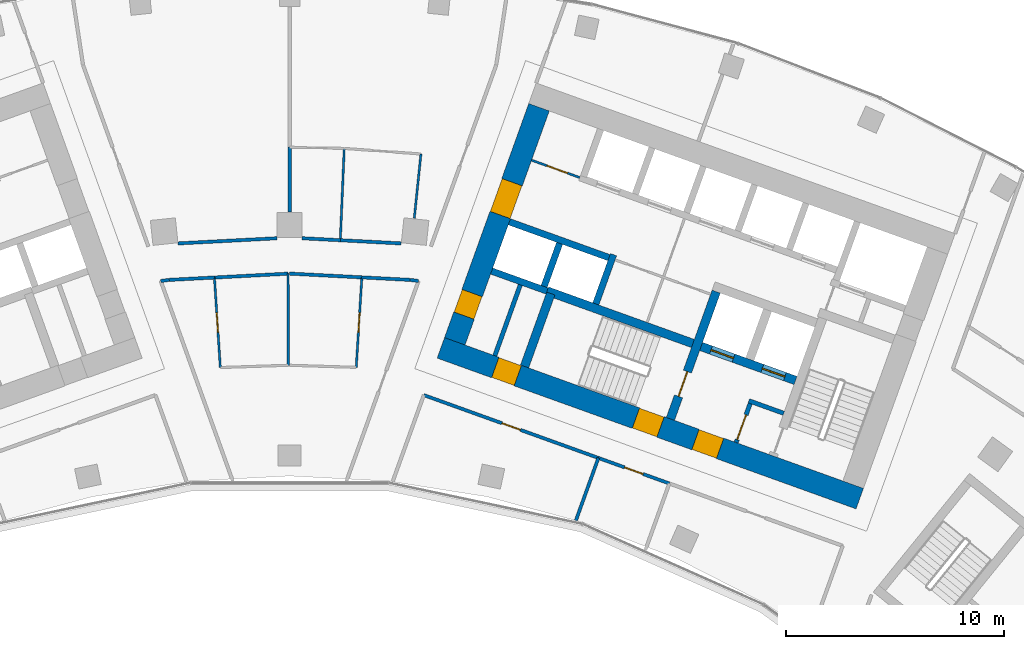
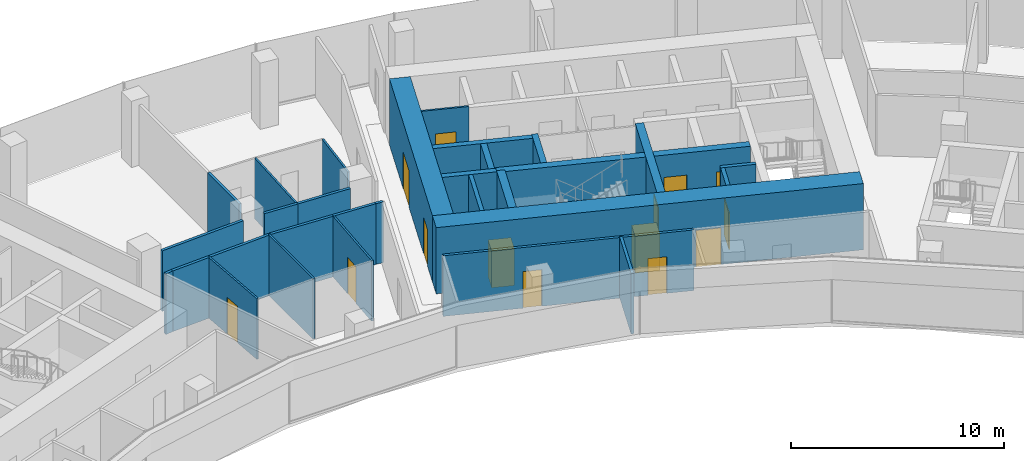
# One storey, part 12 of 16: 31 walls, 14 doors, 14 openings.
"""IFC4 building model written with IfcOpenShell, lengths in metres."""

from ifc_helpers import new_model, si_unit, direction, frame, frame_2d, origin, place, context, subcontext, project, spatial, rectangle, extrude, material, layer, layer_set, type_object, element, fill, save


model = new_model("IFC4")

# Units and contexts
model_context = context("Model", 3, precision=1e-05, world=origin(), true_north=direction((0.0, 1.0)))
body_context = subcontext(model_context, "Body", "Model", "MODEL_VIEW")
ifc_project = project(units=[si_unit("LENGTHUNIT", "METRE"), si_unit("AREAUNIT", "SQUARE_METRE"), si_unit("VOLUMEUNIT", "CUBIC_METRE"), si_unit("PLANEANGLEUNIT", "RADIAN"), si_unit("MASSUNIT", "GRAM", prefix="KILO")], contexts=[model_context])

# Site, building, storey
site_placement = place(None, origin())
site = spatial("IfcSite", under=ifc_project, at=site_placement, CompositionType="ELEMENT")
building_placement = place(site_placement, origin())
building = spatial("IfcBuilding", under=site, at=building_placement, Name="Stone Belt Terrace Tower", CompositionType="ELEMENT")
storey_placement = place(building_placement, frame((0.0, 0.0, 242.800048828125)))
storey = spatial("IfcBuildingStorey", under=building, at=storey_placement, Name="L59", CompositionType="ELEMENT", Elevation=242.800048828125)

# Wall, opening, door
ifc_material_1 = material(Name="Plasterboard partition")
ifc_layer_1 = layer(ifc_material_1, 0.10009765625)
ifc_layer_set_1 = layer_set([ifc_layer_1], Name="Core partition 100")
wall_type_1 = type_object("IfcWallType", Name="Core partition 100", PredefinedType="PARTITIONING", material=ifc_layer_set_1)
wall_1_placement = place(storey_placement, frame((13.29638671875, 57.17529296875, 0.0), z_axis=(0.0, 0.0, 1.0), x_axis=(-0.940904627055, 0.338671644496, 0.0)))
wall_1 = element("IfcWall", 1, at=wall_1_placement, inside=storey, type_object=wall_type_1, Name="Core B wall", PredefinedType="PARTITIONING", context=body_context, shape_type="SweptSolid", body=[
    extrude(rectangle(XDim=2.35009765625, YDim=0.10009765625, at=frame_2d((1.175048828125, 0.0))), origin(), (0.0, 0.0, 1.0), 3.47998046875),
])
opening_1_placement = place(wall_1_placement, frame((0.60009765625, 0.0, 0.0)))
opening_1 = element("IfcOpeningElement", 2, at=opening_1_placement, cuts=wall_1, Name="Opening L59-C15", PredefinedType="OPENING", context=body_context, shape_type="SweptSolid", body=[
    extrude(rectangle(XDim=1.0, YDim=2.10009765625, at=frame_2d((0.5, 1.050048828125))), frame((0.0, 0.06005859375, 0.0), z_axis=(0.0, -1.0, 0.0), x_axis=(1.0, 0.0, 0.0)), (0.0, 0.0, 1.0), 0.1201171875),
])
ifc_material_2 = material(Name="Timber door leaf", Category="wood")
door_type_1 = type_object("IfcDoorType", Name="Core room door 1000", OperationType="SINGLE_SWING_LEFT", PredefinedType="DOOR", material=ifc_material_2)
door_1_placement = place(opening_1_placement, origin())
door_1 = element("IfcDoor", 3, at=door_1_placement, inside=storey, type_object=door_type_1, Name="Door to Communications hub room core B", OperationType="SINGLE_SWING_RIGHT", OverallHeight=2.10009765625, OverallWidth=1.0, PredefinedType="DOOR", context=body_context, shape_type="SweptSolid", body=[
    extrude(rectangle(XDim=1.0, YDim=2.10009765625, at=frame_2d((0.5, 1.050048828125))), frame((0.0, 0.02490234375, 0.0), z_axis=(0.0, -1.0, 0.0), x_axis=(1.0, 0.0, 0.0)), (0.0, 0.0, 1.0), 0.050048828125),
])
fill(opening_1, door_1)

# Wall, openings, doors
ifc_material_3 = material(Name="Concrete B60", Category="concrete")
ifc_layer_2 = layer(ifc_material_3, 1.0)
ifc_layer_set_2 = layer_set([ifc_layer_2], Name="Core wall 1000 B60")
wall_type_2 = type_object("IfcWallType", Name="Core wall 1000 B60", PredefinedType="SHEAR", material=ifc_layer_set_2)
wall_2_placement = place(storey_placement, frame((6.927490234375, 49.370849609375, 0.0), z_axis=(0.0, 0.0, 1.0), x_axis=(0.940921428504, -0.338624962727, 0.0)))
wall_2 = element("IfcWall", 4, at=wall_2_placement, inside=storey, type_object=wall_type_2, Name="Core B wall concave L59", PredefinedType="SHEAR", context=body_context, shape_type="SweptSolid", body=[
    extrude(rectangle(XDim=20.400146484375, YDim=1.0, at=frame_2d((10.2001953125, 0.0))), origin(), (0.0, 0.0, 1.0), 3.800048828125),
])
opening_2_placement = place(wall_2_placement, frame((12.39990234375, 0.0, 0.0)))
opening_2 = element("IfcOpeningElement", 5, at=opening_2_placement, cuts=wall_2, Name="Opening L59-C24", PredefinedType="OPENING", context=body_context, shape_type="SweptSolid", body=[
    extrude(rectangle(XDim=1.199951171875, YDim=2.10009765625, at=frame_2d((0.60009765625, 1.050048828125))), frame((0.0, 0.510009765625, 0.0), z_axis=(0.0, -1.0, 0.0), x_axis=(1.0, 0.0, 0.0)), (0.0, 0.0, 1.0), 1.02001953125),
])
opening_3_placement = place(wall_2_placement, frame((9.5, 0.0, 0.0)))
opening_3 = element("IfcOpeningElement", 6, at=opening_3_placement, cuts=wall_2, Name="Opening L59-C26", PredefinedType="OPENING", context=body_context, shape_type="SweptSolid", body=[
    extrude(rectangle(XDim=1.199951171875, YDim=2.10009765625, at=frame_2d((0.60009765625, 1.050048828125))), frame((0.0, 0.510009765625, 0.0), z_axis=(0.0, -1.0, 0.0), x_axis=(1.0, 0.0, 0.0)), (0.0, 0.0, 1.0), 1.02001953125),
])
opening_4_placement = place(wall_2_placement, frame((2.64990234375, 0.0, 0.0)))
opening_4 = element("IfcOpeningElement", 7, at=opening_4_placement, cuts=wall_2, Name="Opening L59-C28", PredefinedType="OPENING", context=body_context, shape_type="SweptSolid", body=[
    extrude(rectangle(XDim=1.10009765625, YDim=2.10009765625, at=frame_2d((0.550048828125, 1.050048828125))), frame((0.0, 0.510009765625, 0.0), z_axis=(0.0, -1.0, 0.0), x_axis=(1.0, 0.0, 0.0)), (0.0, 0.0, 1.0), 1.02001953125),
])
door_type_2 = type_object("IfcDoorType", Name="Core room door 1100", OperationType="SINGLE_SWING_LEFT", PredefinedType="DOOR", material=ifc_material_2)
door_2_placement = place(opening_4_placement, origin())
door_2 = element("IfcDoor", 8, at=door_2_placement, inside=storey, type_object=door_type_2, Name="Door to Communications riser room core B", OperationType="SINGLE_SWING_RIGHT", OverallHeight=2.10009765625, OverallWidth=1.10009765625, PredefinedType="DOOR", context=body_context, shape_type="SweptSolid", body=[
    extrude(rectangle(XDim=1.10009765625, YDim=2.10009765625, at=frame_2d((0.550048828125, 1.050048828125))), frame((0.0, 0.47998046875, 0.0), z_axis=(0.0, -1.0, 0.0), x_axis=(1.0, 0.0, 0.0)), (0.0, 0.0, 1.0), 0.9599609375),
])
fill(opening_4, door_2)
ifc_material_4 = material(Name="Steel door leaf", Category="steel")
door_type_3 = type_object("IfcDoorType", Name="Fire-fighting lobby door 1200", OperationType="SINGLE_SWING_LEFT", PredefinedType="DOOR", material=ifc_material_4)
door_3_placement = place(opening_2_placement, origin())
door_3 = element("IfcDoor", 9, at=door_3_placement, inside=storey, type_object=door_type_3, Name="Fire-fighting lobby door core B", OperationType="SINGLE_SWING_RIGHT", OverallHeight=2.10009765625, OverallWidth=1.199951171875, PredefinedType="DOOR", context=body_context, shape_type="SweptSolid", body=[
    extrude(rectangle(XDim=1.199951171875, YDim=2.10009765625, at=frame_2d((0.60009765625, 1.050048828125))), frame((0.0, 0.47998046875, 0.0), z_axis=(0.0, -1.0, 0.0), x_axis=(1.0, 0.0, 0.0)), (0.0, 0.0, 1.0), 0.9599609375),
])
fill(opening_2, door_3)
door_type_4 = type_object("IfcDoorType", Name="Stair door 1200", OperationType="SINGLE_SWING_LEFT", PredefinedType="DOOR", material=ifc_material_4)
door_4_placement = place(opening_3_placement, origin())
door_4 = element("IfcDoor", 10, at=door_4_placement, inside=storey, type_object=door_type_4, Name="Stair 2 exit door core B", OperationType="SINGLE_SWING_LEFT", OverallHeight=2.10009765625, OverallWidth=1.199951171875, PredefinedType="DOOR", context=body_context, shape_type="SweptSolid", body=[
    extrude(rectangle(XDim=1.199951171875, YDim=2.10009765625, at=frame_2d((0.60009765625, 1.050048828125))), frame((0.0, 0.47998046875, 0.0), z_axis=(0.0, -1.0, 0.0), x_axis=(1.0, 0.0, 0.0)), (0.0, 0.0, 1.0), 0.9599609375),
])
fill(opening_3, door_4)

wall_3_placement = place(storey_placement, frame((7.567138671875, 49.672119140625, 0.0), z_axis=(0.0, 0.0, 1.0), x_axis=(0.338625431531, 0.940921259788, 0.0)))
wall_3 = element("IfcWall", 11, at=wall_3_placement, inside=storey, type_object=wall_type_2, Name="Core B wall end_a L59", PredefinedType="SHEAR", context=body_context, shape_type="SweptSolid", body=[
    extrude(rectangle(XDim=11.400146484375, YDim=1.0, at=frame_2d((5.7001953125, 0.0))), origin(), (0.0, 0.0, 1.0), 3.800048828125),
])
opening_5_placement = place(wall_3_placement, frame((6.14990234375, 0.0, 0.0)))
opening_5 = element("IfcOpeningElement", 12, at=opening_5_placement, cuts=wall_3, Name="Opening L59-C21", PredefinedType="OPENING", context=body_context, shape_type="SweptSolid", body=[
    extrude(rectangle(XDim=1.60009765625, YDim=2.10009765625, at=frame_2d((0.800048828125, 1.050048828125))), frame((0.0, 0.510009765625, 0.0), z_axis=(0.0, -1.0, 0.0), x_axis=(1.0, 0.0, 0.0)), (0.0, 0.0, 1.0), 1.02001953125),
])
opening_6_placement = place(wall_3_placement, frame((1.25, 0.0, 0.0)))
opening_6 = element("IfcOpeningElement", 13, at=opening_6_placement, cuts=wall_3, Name="Opening L59-C27", PredefinedType="OPENING", context=body_context, shape_type="SweptSolid", body=[
    extrude(rectangle(XDim=1.10009765625, YDim=2.10009765625, at=frame_2d((0.550048828125, 1.050048828125))), frame((0.0, 0.510009765625, 0.0), z_axis=(0.0, -1.0, 0.0), x_axis=(1.0, 0.0, 0.0)), (0.0, 0.0, 1.0), 1.02001953125),
])
door_5_placement = place(opening_6_placement, origin())
door_5 = element("IfcDoor", 14, at=door_5_placement, inside=storey, type_object=door_type_2, Name="Door to Cleaner's store core B", OperationType="SINGLE_SWING_LEFT", OverallHeight=2.10009765625, OverallWidth=1.10009765625, PredefinedType="DOOR", context=body_context, shape_type="SweptSolid", body=[
    extrude(rectangle(XDim=1.10009765625, YDim=2.10009765625, at=frame_2d((0.550048828125, 1.050048828125))), frame((0.0, 0.47998046875, 0.0), z_axis=(0.0, -1.0, 0.0), x_axis=(1.0, 0.0, 0.0)), (0.0, 0.0, 1.0), 0.9599609375),
])
fill(opening_6, door_5)
ifc_material_5 = material(Name="Glazed aluminium door leaf", Category="aluminium")
door_type_5 = type_object("IfcDoorType", Name="Lift lobby entrance door 1600", OperationType="DOUBLE_DOOR_SINGLE_SWING", PredefinedType="DOOR", material=ifc_material_5)
door_6_placement = place(opening_5_placement, origin())
door_6 = element("IfcDoor", 15, at=door_6_placement, inside=storey, type_object=door_type_5, Name="Lift lobby entrance door core B", OperationType="DOUBLE_DOOR_SINGLE_SWING", OverallHeight=2.10009765625, OverallWidth=1.60009765625, PredefinedType="DOOR", context=body_context, shape_type="SweptSolid", body=[
    extrude(rectangle(XDim=1.60009765625, YDim=2.10009765625, at=frame_2d((0.800048828125, 1.050048828125))), frame((0.0, 0.47998046875, 0.0), z_axis=(0.0, -1.0, 0.0), x_axis=(1.0, 0.0, 0.0)), (0.0, 0.0, 1.0), 0.9599609375),
])
fill(opening_5, door_6)

# Walls
ifc_material_6 = material(Name="Concrete B80", Category="concrete")
ifc_layer_3 = layer(ifc_material_6, 0.300048828125)
ifc_layer_set_3 = layer_set([ifc_layer_3], Name="Lift shaft wall 300")
wall_type_3 = type_object("IfcWallType", Name="Lift shaft wall 300", PredefinedType="SHEAR", material=ifc_layer_set_3)
wall_4_placement = place(storey_placement, frame((14.029052734375, 51.38525390625, 0.0), z_axis=(0.0, 0.0, 1.0), x_axis=(0.338661829791, 0.940908159728, 0.0)))
element("IfcWall", 16, at=wall_4_placement, inside=storey, type_object=wall_type_3, Name="Core B wall", PredefinedType="SHEAR", context=body_context, shape_type="SweptSolid", body=[
    extrude(rectangle(XDim=2.39990234375, YDim=0.300048828125, at=frame_2d((1.199951171875, 0.0))), origin(), (0.0, 0.0, 1.0), 3.47998046875),
])
wall_5_placement = place(storey_placement, frame((14.6328125, 53.506103515625, 0.0), z_axis=(0.0, 0.0, 1.0), x_axis=(-0.940931684323, 0.338596464007, 0.0)))
element("IfcWall", 17, at=wall_5_placement, inside=storey, type_object=wall_type_3, Name="Core B wall", PredefinedType="SHEAR", context=body_context, shape_type="SweptSolid", body=[
    extrude(rectangle(XDim=4.849609375, YDim=0.300048828125, at=frame_2d((2.4248046875, 0.0))), origin(), (0.0, 0.0, 1.0), 3.47998046875),
])
wall_6_placement = place(storey_placement, frame((11.797119140625, 51.975830078125, 0.0), z_axis=(0.0, 0.0, 1.0), x_axis=(-0.940910465161, 0.33865542451, 0.0)))
element("IfcWall", 18, at=wall_6_placement, inside=storey, type_object=wall_type_3, Name="Core B wall", PredefinedType="SHEAR", context=body_context, shape_type="SweptSolid", body=[
    extrude(rectangle(XDim=2.69970703125, YDim=0.300048828125, at=frame_2d((1.349853515625, 0.0))), origin(), (0.0, 0.0, 1.0), 3.47998046875),
])
wall_7_placement = place(storey_placement, frame((11.659912109375, 52.184814453125, 0.0), z_axis=(0.0, 0.0, 1.0), x_axis=(0.338670064856, 0.940905195634, 0.0)))
element("IfcWall", 19, at=wall_7_placement, inside=storey, type_object=wall_type_3, Name="Core B wall", PredefinedType="SHEAR", context=body_context, shape_type="SweptSolid", body=[
    extrude(rectangle(XDim=2.099853515625, YDim=0.300048828125, at=frame_2d((1.0498046875, 0.0))), origin(), (0.0, 0.0, 1.0), 3.47998046875),
])

# Wall, opening, door
ifc_material_7 = material(Name="Gypsum board partition")
ifc_layer_4 = layer(ifc_material_7, 0.10009765625)
ifc_layer_set_4 = layer_set([ifc_layer_4], Name="PARTITION 100")
wall_type_4 = type_object("IfcWallType", Name="PARTITION 100", PredefinedType="PARTITIONING", material=ifc_layer_set_4)
wall_8_placement = place(storey_placement, frame((-3.446044921875, 52.593994140625, 0.0), z_axis=(0.0, 0.0, 1.0), x_axis=(0.06535029592, -0.997862384712, 0.0)))
wall_8 = element("IfcWall", 20, at=wall_8_placement, inside=storey, type_object=wall_type_4, Name="L59/wall/i071", PredefinedType="PARTITIONING", context=body_context, shape_type="SweptSolid", body=[
    extrude(rectangle(XDim=4.1318359375, YDim=0.10009765625, at=frame_2d((2.06591796875, 0.0))), origin(), (0.0, 0.0, 1.0), 3.47998046875),
])
opening_7_placement = place(wall_8_placement, frame((1.615966796875, 0.0, 0.0)))
opening_7 = element("IfcOpeningElement", 21, at=opening_7_placement, cuts=wall_8, Name="Opening D-D5b-22", PredefinedType="OPENING", context=body_context, shape_type="SweptSolid", body=[
    extrude(rectangle(XDim=0.89990234375, YDim=2.10009765625, at=frame_2d((0.449951171875, 1.050048828125))), frame((0.0, 0.06005859375, 0.0), z_axis=(0.0, -1.0, 0.0), x_axis=(1.0, 0.0, 0.0)), (0.0, 0.0, 1.0), 0.1201171875),
])
door_type_6 = type_object("IfcDoorType", Name="OFFICE DOOR 900 X 2100", OperationType="NOTDEFINED", PredefinedType="DOOR", material=ifc_material_2)
door_7_placement = place(opening_7_placement, origin())
door_7 = element("IfcDoor", 22, at=door_7_placement, inside=storey, type_object=door_type_6, Name="L59/door/i22", OperationType="SINGLE_SWING_RIGHT", OverallHeight=2.10009765625, OverallWidth=0.89990234375, PredefinedType="DOOR", context=body_context, shape_type="SweptSolid", body=[
    extrude(rectangle(XDim=0.89990234375, YDim=2.10009765625, at=frame_2d((0.449951171875, 1.050048828125))), frame((0.0, 0.02490234375, 0.0), z_axis=(0.0, -1.0, 0.0), x_axis=(1.0, 0.0, 0.0)), (0.0, 0.0, 1.0), 0.050048828125),
])
fill(opening_7, door_7)

wall_9_placement = place(storey_placement, frame((3.051025390625, 48.47900390625, 0.0), z_axis=(0.0, 0.0, 1.0), x_axis=(0.06270205235, 0.998032290375, 0.0)))
wall_9 = element("IfcWall", 23, at=wall_9_placement, inside=storey, type_object=wall_type_4, Name="L59/wall/i074", PredefinedType="PARTITIONING", context=body_context, shape_type="SweptSolid", body=[
    extrude(rectangle(XDim=4.131103515625, YDim=0.10009765625, at=frame_2d((2.0654296875, 0.0))), origin(), (0.0, 0.0, 1.0), 3.47998046875),
])
opening_8_placement = place(wall_9_placement, frame((1.615478515625, 0.0, 0.0)))
opening_8 = element("IfcOpeningElement", 24, at=opening_8_placement, cuts=wall_9, Name="Opening D-D5b-23", PredefinedType="OPENING", context=body_context, shape_type="SweptSolid", body=[
    extrude(rectangle(XDim=0.89990234375, YDim=2.10009765625, at=frame_2d((0.449951171875, 1.050048828125))), frame((0.0, 0.06005859375, 0.0), z_axis=(0.0, -1.0, 0.0), x_axis=(1.0, 0.0, 0.0)), (0.0, 0.0, 1.0), 0.1201171875),
])
door_8_placement = place(opening_8_placement, origin())
door_8 = element("IfcDoor", 25, at=door_8_placement, inside=storey, type_object=door_type_6, Name="L59/door/i23", OperationType="SINGLE_SWING_RIGHT", OverallHeight=2.10009765625, OverallWidth=0.89990234375, PredefinedType="DOOR", context=body_context, shape_type="SweptSolid", body=[
    extrude(rectangle(XDim=0.89990234375, YDim=2.10009765625, at=frame_2d((0.449951171875, 1.050048828125))), frame((0.0, 0.02490234375, 0.0), z_axis=(0.0, -1.0, 0.0), x_axis=(1.0, 0.0, 0.0)), (0.0, 0.0, 1.0), 0.050048828125),
])
fill(opening_8, door_8)

# Walls
wall_10_placement = place(storey_placement, frame((-0.068115234375, 52.77099609375, 0.0), z_axis=(0.0, 0.0, 1.0), x_axis=(0.001221852815, -0.999999253538, 0.0)))
element("IfcWall", 26, at=wall_10_placement, inside=storey, type_object=wall_type_4, Name="L59/wall/i075", PredefinedType="PARTITIONING", context=body_context, shape_type="SweptSolid", body=[
    extrude(rectangle(XDim=4.196044921875, YDim=0.10009765625, at=frame_2d((2.09814453125, 0.0))), origin(), (0.0, 0.0, 1.0), 3.47998046875),
])
wall_11_placement = place(storey_placement, frame((5.7119140625, 55.31103515625, 0.0), z_axis=(0.0, 0.0, 1.0), x_axis=(0.102786571423, 0.99470343356, 0.0)))
element("IfcWall", 27, at=wall_11_placement, inside=storey, type_object=wall_type_4, Name="L59/wall/i080", PredefinedType="PARTITIONING", context=body_context, shape_type="SweptSolid", body=[
    extrude(rectangle(XDim=2.95947265625, YDim=0.10009765625, at=frame_2d((1.479736328125, 0.0))), origin(), (0.0, 0.0, 1.0), 3.47998046875),
])
wall_12_placement = place(storey_placement, frame((2.501953125, 58.510986328125, 0.0), z_axis=(0.0, 0.0, 1.0), x_axis=(-0.042720304675, -0.999087071065, 0.0)))
element("IfcWall", 28, at=wall_12_placement, inside=storey, type_object=wall_type_4, Name="L59/wall/i082", PredefinedType="PARTITIONING", context=body_context, shape_type="SweptSolid", body=[
    extrude(rectangle(XDim=4.2119140625, YDim=0.10009765625, at=frame_2d((2.10595703125, 0.0))), origin(), (0.0, 0.0, 1.0), 3.47998046875),
])

# Wall, opening, door
ifc_layer_5 = layer(ifc_material_7, 0.14990234375)
ifc_layer_set_5 = layer_set([ifc_layer_5], Name="PARTITION 150 EI 60")
wall_type_5 = type_object("IfcWallType", Name="PARTITION 150 EI 60", PredefinedType="PARTITIONING", material=ifc_layer_set_5)
wall_13_placement = place(storey_placement, frame((14.154052734375, 44.325927734375, 0.0), z_axis=(0.0, 0.0, 1.0), x_axis=(-0.940915210551, 0.338642239767, 0.0)))
wall_13 = element("IfcWall", 29, at=wall_13_placement, inside=storey, type_object=wall_type_5, Name="L59/wall/i028", PredefinedType="PARTITIONING", context=body_context, shape_type="SweptSolid", body=[
    extrude(rectangle(XDim=8.5078125, YDim=0.14990234375, at=frame_2d((4.25390625, 0.0))), origin(), (0.0, 0.0, 1.0), 3.47998046875),
])
opening_9_placement = place(wall_13_placement, frame((3.8037109375, 0.0, 0.0)))
opening_9 = element("IfcOpeningElement", 30, at=opening_9_placement, cuts=wall_13, Name="Opening D-D5b-06", PredefinedType="OPENING", context=body_context, shape_type="SweptSolid", body=[
    extrude(rectangle(XDim=0.89990234375, YDim=2.10009765625, at=frame_2d((0.449951171875, 1.050048828125))), frame((0.0, 0.0849609375, 0.0), z_axis=(0.0, -1.0, 0.0), x_axis=(1.0, 0.0, 0.0)), (0.0, 0.0, 1.0), 0.169921875),
])
door_9_placement = place(opening_9_placement, origin())
door_9 = element("IfcDoor", 31, at=door_9_placement, inside=storey, type_object=door_type_6, Name="L59/door/i06", OperationType="SINGLE_SWING_RIGHT", OverallHeight=2.10009765625, OverallWidth=0.89990234375, PredefinedType="DOOR", context=body_context, shape_type="SweptSolid", body=[
    extrude(rectangle(XDim=0.89990234375, YDim=2.10009765625, at=frame_2d((0.449951171875, 1.050048828125))), frame((0.0, 0.02490234375, 0.0), z_axis=(0.0, -1.0, 0.0), x_axis=(1.0, 0.0, 0.0)), (0.0, 0.0, 1.0), 0.050048828125),
])
fill(opening_9, door_9)

wall_14_placement = place(storey_placement, frame((17.404052734375, 43.156005859375, 0.0), z_axis=(0.0, 0.0, 1.0), x_axis=(-0.94090895552, 0.338659618823, 0.0)))
wall_14 = element("IfcWall", 32, at=wall_14_placement, inside=storey, type_object=wall_type_5, Name="L59/wall/i029", PredefinedType="PARTITIONING", context=body_context, shape_type="SweptSolid", body=[
    extrude(rectangle(XDim=3.466796875, YDim=0.14990234375, at=frame_2d((1.7333984375, 0.0))), origin(), (0.0, 0.0, 1.0), 3.47998046875),
])
opening_10_placement = place(wall_14_placement, frame((1.283447265625, 0.0, 0.0)))
opening_10 = element("IfcOpeningElement", 33, at=opening_10_placement, cuts=wall_14, Name="Opening D-D5b-07", PredefinedType="OPENING", context=body_context, shape_type="SweptSolid", body=[
    extrude(rectangle(XDim=0.89990234375, YDim=2.10009765625, at=frame_2d((0.449951171875, 1.050048828125))), frame((0.0, 0.0849609375, 0.0), z_axis=(0.0, -1.0, 0.0), x_axis=(1.0, 0.0, 0.0)), (0.0, 0.0, 1.0), 0.169921875),
])
door_10_placement = place(opening_10_placement, origin())
door_10 = element("IfcDoor", 34, at=door_10_placement, inside=storey, type_object=door_type_6, Name="L59/door/i07", OperationType="SINGLE_SWING_RIGHT", OverallHeight=2.10009765625, OverallWidth=0.89990234375, PredefinedType="DOOR", context=body_context, shape_type="SweptSolid", body=[
    extrude(rectangle(XDim=0.89990234375, YDim=2.10009765625, at=frame_2d((0.449951171875, 1.050048828125))), frame((0.0, 0.02490234375, 0.0), z_axis=(0.0, -1.0, 0.0), x_axis=(1.0, 0.0, 0.0)), (0.0, 0.0, 1.0), 0.050048828125),
])
fill(opening_10, door_10)

# Walls
wall_15_placement = place(storey_placement, frame((14.14794921875, 44.327880859375, 0.0), z_axis=(0.0, 0.0, 1.0), x_axis=(-0.338693950251, -0.940896597966, 0.0)))
element("IfcWall", 35, at=wall_15_placement, inside=storey, type_object=wall_type_5, Name="L59/wall/i031", PredefinedType="PARTITIONING", context=body_context, shape_type="SweptSolid", body=[
    extrude(rectangle(XDim=3.049072265625, YDim=0.14990234375, at=frame_2d((1.5244140625, 0.0))), origin(), (0.0, 0.0, 1.0), 3.47998046875),
])
wall_16_placement = place(storey_placement, frame((-3.43994140625, 52.594970703125, 0.0), z_axis=(0.0, 0.0, 1.0), x_axis=(-0.99862754401, -0.052373928108, 0.0)))
element("IfcWall", 36, at=wall_16_placement, inside=storey, type_object=wall_type_5, Name="L59/wall/i062", PredefinedType="PARTITIONING", context=body_context, shape_type="SweptSolid", body=[
    extrude(rectangle(XDim=2.0791015625, YDim=0.14990234375, at=frame_2d((1.03955078125, 0.0))), origin(), (0.0, 0.0, 1.0), 3.47998046875),
])
for number, where, z_axis, x_axis, name in (
    (37, (-5.51611328125, 52.486083984375, 0.0), (0.0, 0.0, 1.0), (-0.991780421826, -0.127951533338, 0.0), "L59/wall/i063"),
    (38, (5.904052734375, 52.43603515625, 0.0), (0.0, 0.0, 1.0), (-0.991780421826, 0.127951533338, 0.0), "L59/wall/i064"),
):
    element("IfcWall", number, at=place(storey_placement, frame(where, z_axis=z_axis, x_axis=x_axis)), inside=storey, type_object=wall_type_5, Name=name, PredefinedType="PARTITIONING", context=body_context, shape_type="SweptSolid", body=[
        extrude(rectangle(XDim=0.39111328125, YDim=0.14990234375, at=frame_2d((0.195556640625, 0.0))), origin(), (0.0, 0.0, 1.0), 3.47998046875),
    ])
wall_17_placement = place(storey_placement, frame((5.51611328125, 52.486083984375, 0.0), z_axis=(0.0, 0.0, 1.0), x_axis=(-0.998628767905, 0.052350586553, 0.0)))
element("IfcWall", 39, at=wall_17_placement, inside=storey, type_object=wall_type_5, Name="L59/wall/i065", PredefinedType="PARTITIONING", context=body_context, shape_type="SweptSolid", body=[
    extrude(rectangle(XDim=2.215087890625, YDim=0.14990234375, at=frame_2d((1.107421875, 0.0))), origin(), (0.0, 0.0, 1.0), 3.47998046875),
])
wall_18_placement = place(storey_placement, frame((-0.06201171875, 52.77197265625, 0.0), z_axis=(0.0, 0.0, 1.0), x_axis=(-0.998624576106, -0.052430487287, 0.0)))
element("IfcWall", 40, at=wall_18_placement, inside=storey, type_object=wall_type_5, Name="L59/wall/i066", PredefinedType="PARTITIONING", context=body_context, shape_type="SweptSolid", body=[
    extrude(rectangle(XDim=3.39453125, YDim=0.14990234375, at=frame_2d((1.697265625, 0.0))), origin(), (0.0, 0.0, 1.0), 3.47998046875),
])
wall_19_placement = place(storey_placement, frame((3.31591796875, 52.60107421875, 0.0), z_axis=(0.0, 0.0, 1.0), x_axis=(-0.998628775541, 0.052350440891, 0.0)))
element("IfcWall", 41, at=wall_19_placement, inside=storey, type_object=wall_type_5, Name="L59/wall/i067", PredefinedType="PARTITIONING", context=body_context, shape_type="SweptSolid", body=[
    extrude(rectangle(XDim=3.320556640625, YDim=0.14990234375, at=frame_2d((1.66015625, 0.0))), origin(), (0.0, 0.0, 1.0), 3.47998046875),
])
wall_20_placement = place(storey_placement, frame((-5.114013671875, 54.1572265625, 0.0), z_axis=(0.0, 0.0, 1.0), x_axis=(0.998631882583, 0.052291137769, 0.0)))
element("IfcWall", 42, at=wall_20_placement, inside=storey, type_object=wall_type_5, Name="L59/wall/i068", PredefinedType="PARTITIONING", context=body_context, shape_type="SweptSolid", body=[
    extrude(rectangle(XDim=4.54736328125, YDim=0.14990234375, at=frame_2d((2.273681640625, 0.0))), origin(), (0.0, 0.0, 1.0), 3.47998046875),
])
wall_21_placement = place(storey_placement, frame((0.572509765625, 54.39501953125, 0.0), z_axis=(0.0, 0.0, 1.0), x_axis=(0.998628169228, -0.052362005535, 0.0)))
element("IfcWall", 43, at=wall_21_placement, inside=storey, type_object=wall_type_5, Name="L59/wall/i069", PredefinedType="PARTITIONING", context=body_context, shape_type="SweptSolid", body=[
    extrude(rectangle(XDim=1.7578125, YDim=0.14990234375, at=frame_2d((0.87890625, 0.0))), origin(), (0.0, 0.0, 1.0), 3.47998046875),
])
wall_22_placement = place(storey_placement, frame((2.31591796875, 54.303955078125, 0.0), z_axis=(0.0, 0.0, 1.0), x_axis=(0.998631042992, -0.052307169428, 0.0)))
element("IfcWall", 44, at=wall_22_placement, inside=storey, type_object=wall_type_5, Name="L59/wall/i070", PredefinedType="PARTITIONING", context=body_context, shape_type="SweptSolid", body=[
    extrude(rectangle(XDim=2.800537109375, YDim=0.14990234375, at=frame_2d((1.400390625, 0.0))), origin(), (0.0, 0.0, 1.0), 3.47998046875),
])
wall_23_placement = place(storey_placement, frame((0.0, 58.571044921875, 0.0), z_axis=(0.0, 0.0, 1.0), x_axis=(0.0, -1.0, 0.0)))
element("IfcWall", 45, at=wall_23_placement, inside=storey, type_object=wall_type_5, Name="L59/wall/i078", PredefinedType="PARTITIONING", context=body_context, shape_type="SweptSolid", body=[
    extrude(rectangle(XDim=2.966064453125, YDim=0.14990234375, at=frame_2d((1.48291015625, 0.0))), origin(), (0.0, 0.0, 1.0), 3.47998046875),
])
ifc_material_8 = material(Name="Concrete masonry block", Category="masonry")
ifc_layer_6 = layer(ifc_material_8, 0.199951171875)
ifc_layer_set_6 = layer_set([ifc_layer_6], Name="Rated lobby wall 200")
wall_type_6 = type_object("IfcWallType", Name="Rated lobby wall 200", PredefinedType="PARTITIONING", material=ifc_layer_set_6)
wall_24_placement = place(storey_placement, frame((22.640625, 46.373046875, 0.0), z_axis=(0.0, 0.0, 1.0), x_axis=(-0.940966110313, 0.338500781747, 0.0)))
element("IfcWall", 46, at=wall_24_placement, inside=storey, type_object=wall_type_6, Name="Core B wall", PredefinedType="PARTITIONING", context=body_context, shape_type="SweptSolid", body=[
    extrude(rectangle(XDim=1.699951171875, YDim=0.199951171875, at=frame_2d((0.85009765625, 0.0))), origin(), (0.0, 0.0, 1.0), 3.47998046875),
])

# Wall, opening, door
wall_25_placement = place(storey_placement, frame((20.4580078125, 45.032958984375, 0.0), z_axis=(0.0, 0.0, 1.0), x_axis=(0.338573865316, 0.940939816208, 0.0)))
wall_25 = element("IfcWall", 47, at=wall_25_placement, inside=storey, type_object=wall_type_6, Name="Core B wall", PredefinedType="PARTITIONING", context=body_context, shape_type="SweptSolid", body=[
    extrude(rectangle(XDim=1.900146484375, YDim=0.199951171875, at=frame_2d((0.9501953125, 0.0))), origin(), (0.0, 0.0, 1.0), 3.47998046875),
])
opening_11_placement = place(wall_25_placement, frame((0.14990234375, 0.0, 0.0)))
opening_11 = element("IfcOpeningElement", 48, at=opening_11_placement, cuts=wall_25, Name="Opening L59-C23", PredefinedType="OPENING", context=body_context, shape_type="SweptSolid", body=[
    extrude(rectangle(XDim=1.199951171875, YDim=2.10009765625, at=frame_2d((0.60009765625, 1.050048828125))), frame((0.0, 0.10986328125, 0.0), z_axis=(0.0, -1.0, 0.0), x_axis=(1.0, 0.0, 0.0)), (0.0, 0.0, 1.0), 0.219970703125),
])
door_11_placement = place(opening_11_placement, origin())
door_11 = element("IfcDoor", 49, at=door_11_placement, inside=storey, type_object=door_type_4, Name="Stair airlock door core B", OperationType="SINGLE_SWING_RIGHT", OverallHeight=2.10009765625, OverallWidth=1.199951171875, PredefinedType="DOOR", context=body_context, shape_type="SweptSolid", body=[
    extrude(rectangle(XDim=1.199951171875, YDim=2.10009765625, at=frame_2d((0.60009765625, 1.050048828125))), frame((0.0, 0.02490234375, 0.0), z_axis=(0.0, -1.0, 0.0), x_axis=(1.0, 0.0, 0.0)), (0.0, 0.0, 1.0), 0.050048828125),
])
fill(opening_11, door_11)

# Wall
wall_26_placement = place(storey_placement, frame((9.402099609375, 49.01171875, 0.0), z_axis=(0.0, 0.0, 1.0), x_axis=(0.338599189079, 0.940930703695, 0.0)))
element("IfcWall", 50, at=wall_26_placement, inside=storey, type_object=wall_type_6, Name="Core B wall", PredefinedType="PARTITIONING", context=body_context, shape_type="SweptSolid", body=[
    extrude(rectangle(XDim=3.4501953125, YDim=0.199951171875, at=frame_2d((1.72509765625, 0.0))), origin(), (0.0, 0.0, 1.0), 3.47998046875),
])

# Wall, openings, doors
ifc_layer_7 = layer(ifc_material_6, 0.39990234375)
ifc_layer_set_7 = layer_set([ifc_layer_7], Name="Stair enclosure wall 400")
wall_type_7 = type_object("IfcWallType", Name="Stair enclosure wall 400", PredefinedType="SHEAR", material=ifc_layer_set_7)
wall_27_placement = place(storey_placement, frame((23.182373046875, 47.87841796875, 0.0), z_axis=(0.0, 0.0, 1.0), x_axis=(-0.940921101762, 0.338625870628, 0.0)))
wall_27 = element("IfcWall", 51, at=wall_27_placement, inside=storey, type_object=wall_type_7, Name="Core B wall", PredefinedType="SHEAR", context=body_context, shape_type="SweptSolid", body=[
    extrude(rectangle(XDim=12.10009765625, YDim=0.39990234375, at=frame_2d((6.050048828125, 0.0))), origin(), (0.0, 0.0, 1.0), 3.47998046875),
])
opening_12_placement = place(wall_27_placement, frame((0.52001953125, 0.0, 0.0)))
opening_12 = element("IfcOpeningElement", 52, at=opening_12_placement, cuts=wall_27, Name="Opening L59-LD14", PredefinedType="OPENING", context=body_context, shape_type="SweptSolid", body=[
    extrude(rectangle(XDim=1.10009765625, YDim=2.199951171875, at=frame_2d((0.550048828125, 1.10009765625))), frame((0.0, 0.2099609375, 0.0), z_axis=(0.0, -1.0, 0.0), x_axis=(1.0, 0.0, 0.0)), (0.0, 0.0, 1.0), 0.419921875),
])
opening_13_placement = place(wall_27_placement, frame((3.02001953125, 0.0, 0.0)))
opening_13 = element("IfcOpeningElement", 53, at=opening_13_placement, cuts=wall_27, Name="Opening L59-LD15", PredefinedType="OPENING", context=body_context, shape_type="SweptSolid", body=[
    extrude(rectangle(XDim=1.10009765625, YDim=2.199951171875, at=frame_2d((0.550048828125, 1.10009765625))), frame((0.0, 0.2099609375, 0.0), z_axis=(0.0, -1.0, 0.0), x_axis=(1.0, 0.0, 0.0)), (0.0, 0.0, 1.0), 0.419921875),
])
ifc_material_9 = material(Name="Stainless steel door leaf", Category="steel")
door_type_7 = type_object("IfcDoorType", Name="Landing door 1100", OperationType="SLIDING_TO_LEFT", PredefinedType="DOOR", material=ifc_material_9)
door_12_placement = place(opening_12_placement, origin())
door_12 = element("IfcDoor", 54, at=door_12_placement, inside=storey, type_object=door_type_7, Name="Landing door FF1 core B", OperationType="SLIDING_TO_LEFT", OverallHeight=2.199951171875, OverallWidth=1.10009765625, PredefinedType="DOOR", context=body_context, shape_type="SweptSolid", body=[
    extrude(rectangle(XDim=1.10009765625, YDim=2.199951171875, at=frame_2d((0.550048828125, 1.10009765625))), frame((0.0, 0.02490234375, 0.0), z_axis=(0.0, -1.0, 0.0), x_axis=(1.0, 0.0, 0.0)), (0.0, 0.0, 1.0), 0.050048828125),
])
fill(opening_12, door_12)
door_13_placement = place(opening_13_placement, origin())
door_13 = element("IfcDoor", 55, at=door_13_placement, inside=storey, type_object=door_type_7, Name="Landing door FF2 core B", OperationType="SLIDING_TO_LEFT", OverallHeight=2.199951171875, OverallWidth=1.10009765625, PredefinedType="DOOR", context=body_context, shape_type="SweptSolid", body=[
    extrude(rectangle(XDim=1.10009765625, YDim=2.199951171875, at=frame_2d((0.550048828125, 1.10009765625))), frame((0.0, 0.02490234375, 0.0), z_axis=(0.0, -1.0, 0.0), x_axis=(1.0, 0.0, 0.0)), (0.0, 0.0, 1.0), 0.050048828125),
])
fill(opening_13, door_13)

# Wall, opening, door
wall_28_placement = place(storey_placement, frame((17.447021484375, 46.116455078125, 0.0), z_axis=(0.0, 0.0, 1.0), x_axis=(0.33860791464, 0.940927563707, 0.0)))
wall_28 = element("IfcWall", 56, at=wall_28_placement, inside=storey, type_object=wall_type_7, Name="Core B wall", PredefinedType="SHEAR", context=body_context, shape_type="SweptSolid", body=[
    extrude(rectangle(XDim=6.199951171875, YDim=0.39990234375, at=frame_2d((3.10009765625, 0.0))), origin(), (0.0, 0.0, 1.0), 3.47998046875),
])
opening_14_placement = place(wall_28_placement, frame((1.10009765625, 0.0, 0.0)))
opening_14 = element("IfcOpeningElement", 57, at=opening_14_placement, cuts=wall_28, Name="Opening L59-C25", PredefinedType="OPENING", context=body_context, shape_type="SweptSolid", body=[
    extrude(rectangle(XDim=1.199951171875, YDim=2.10009765625, at=frame_2d((0.60009765625, 1.050048828125))), frame((0.0, 0.2099609375, 0.0), z_axis=(0.0, -1.0, 0.0), x_axis=(1.0, 0.0, 0.0)), (0.0, 0.0, 1.0), 0.419921875),
])
door_14_placement = place(opening_14_placement, origin())
door_14 = element("IfcDoor", 58, at=door_14_placement, inside=storey, type_object=door_type_4, Name="Stair 2 door core B", OperationType="SINGLE_SWING_RIGHT", OverallHeight=2.10009765625, OverallWidth=1.199951171875, PredefinedType="DOOR", context=body_context, shape_type="SweptSolid", body=[
    extrude(rectangle(XDim=1.199951171875, YDim=2.10009765625, at=frame_2d((0.60009765625, 1.050048828125))), frame((0.0, 0.02490234375, 0.0), z_axis=(0.0, -1.0, 0.0), x_axis=(1.0, 0.0, 0.0)), (0.0, 0.0, 1.0), 0.050048828125),
])
fill(opening_14, door_14)

# Wall
wall_29_placement = place(storey_placement, frame((10.766357421875, 48.520751953125, 0.0), z_axis=(0.0, 0.0, 1.0), x_axis=(0.338626928157, 0.94092072117, 0.0)))
element("IfcWall", 59, at=wall_29_placement, inside=storey, type_object=wall_type_7, Name="Core B wall", PredefinedType="SHEAR", context=body_context, shape_type="SweptSolid", body=[
    extrude(rectangle(XDim=3.550048828125, YDim=0.39990234375, at=frame_2d((1.77490234375, 0.0))), origin(), (0.0, 0.0, 1.0), 3.47998046875),
])

save(model, "model.ifc")
